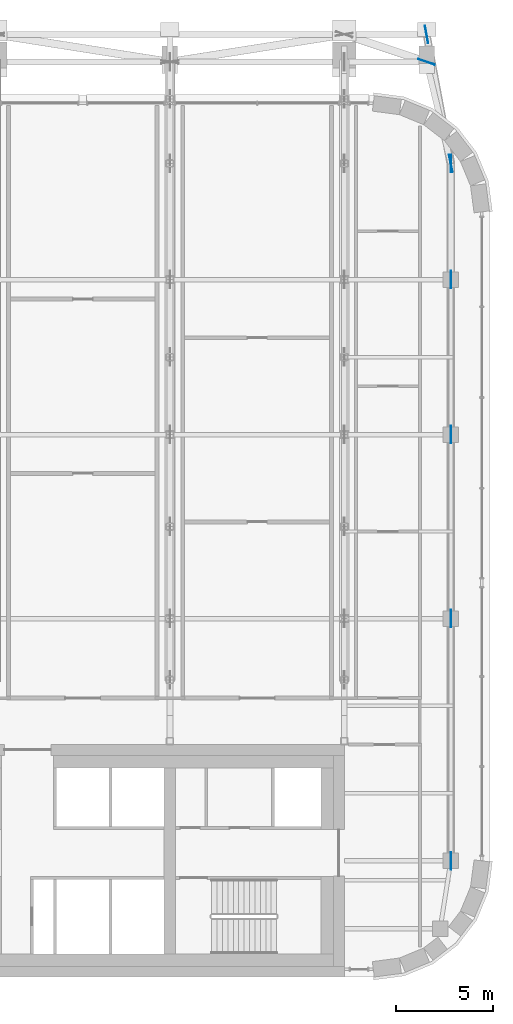
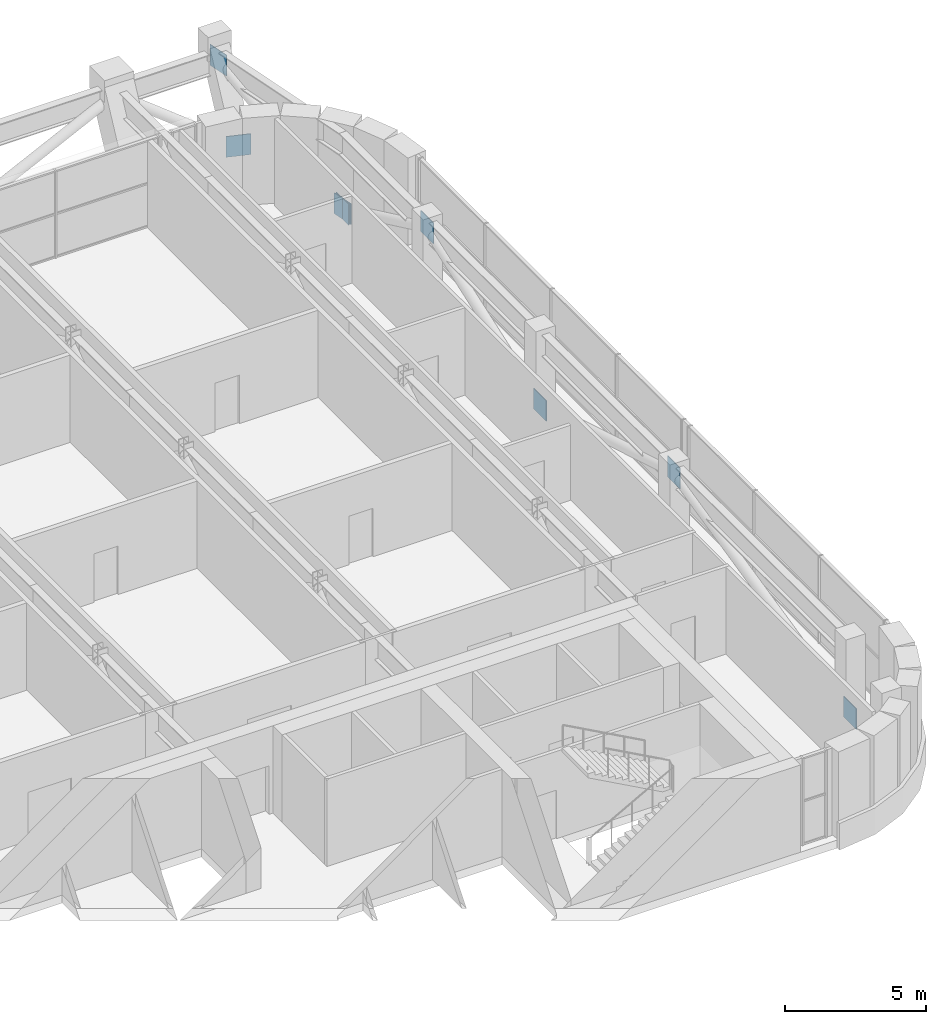
# One storey, part 23 of 28: 8 discrete accessories.
"""IFC4 building model written with IfcOpenShell, lengths in metres."""

import ifcopenshell
import ifcopenshell.guid

model = None  # the IFC model being written
_history = None  # IfcOwnerHistory: only IFC2X3 demands one
_inside = {}  # id of a spatial element -> (the spatial element, [elements in it])
_under = {}  # id of a project, library or spatial element -> (it, [spatial elements below it])
_declared = {}  # id of a project -> (the project, [libraries it declares])
_typed = {}  # id of a type object -> (the type object, [elements of that type])
_made_of = {}  # id of a material, layer set ... -> (it, [elements and type objects made of it])


def new_model(schema):
    """Start an empty IFC model of exactly this schema.

    Asked for "IFC4X3", IfcOpenShell would pick the latest addendum, in which some entities
    have other attributes; the version numbers below select the first issue.
    IFC2X3 requires an IfcOwnerHistory on every rooted entity: one is made here for all.
    """
    global model, _history
    if schema == "IFC4X3":
        model = ifcopenshell.file(schema_version=(4, 3, 0, 0))
    else:
        model = ifcopenshell.file(schema=schema)
    _inside.clear()
    _under.clear()
    _declared.clear()
    _typed.clear()
    _made_of.clear()
    _history = None
    if model.schema == "IFC2X3":
        org = make("IfcOrganization", Name="unknown")
        user = make(
            "IfcPersonAndOrganization",
            ThePerson=make("IfcPerson", FamilyName="unknown"),
            TheOrganization=org,
        )
        app = make(
            "IfcApplication",
            ApplicationDeveloper=org,
            Version="unknown",
            ApplicationFullName="unknown",
            ApplicationIdentifier="unknown",
        )
        _history = make(
            "IfcOwnerHistory",
            OwningUser=user,
            OwningApplication=app,
            ChangeAction="ADDED",
            CreationDate=0,
        )
    return model


def make(cls, **values):
    """One entity of the class cls with the attributes given. An attribute that is None is left unset."""
    return model.create_entity(
        cls, **{name: value for name, value in values.items() if value is not None}
    )


def rooted(cls, **values):
    """An entity with a GlobalId (a new one), such as an element, a storey or a relation."""
    return make(cls, GlobalId=ifcopenshell.guid.new(), OwnerHistory=_history, **values)


def si_unit(unit_type, name, prefix=None):
    """IfcSIUnit, for example si_unit("LENGTHUNIT", "METRE", prefix="MILLI")."""
    return make("IfcSIUnit", UnitType=unit_type, Prefix=prefix, Name=name)


def assignment(units):
    """IfcUnitAssignment: the units of a project."""
    return None if units is None else make("IfcUnitAssignment", Units=units)


def point(xyz):
    """IfcCartesianPoint."""
    return None if xyz is None else make("IfcCartesianPoint", Coordinates=xyz)


def direction(xyz):
    """IfcDirection."""
    return None if xyz is None else make("IfcDirection", DirectionRatios=xyz)


def frame(location, z_axis=None, x_axis=None):
    """IfcAxis2Placement3D, a coordinate frame: its origin and axes. An axis left out is left unset."""
    return make(
        "IfcAxis2Placement3D",
        Location=point(location),
        Axis=direction(z_axis),
        RefDirection=direction(x_axis),
    )


def frame_2d(location, x_axis=None):
    """IfcAxis2Placement2D, a coordinate frame in the plane: its origin and x axis."""
    return make(
        "IfcAxis2Placement2D", Location=point(location), RefDirection=direction(x_axis)
    )


def origin():
    """The frame at (0, 0, 0) with its axes left unset."""
    return frame((0.0, 0.0, 0.0))


def origin_2d():
    """The frame at (0, 0) in the plane with its x axis left unset."""
    return frame_2d((0.0, 0.0))


def place(relative_to, where):
    """IfcLocalPlacement: puts the frame where relative to a parent placement (None: the world)."""
    return make(
        "IfcLocalPlacement", PlacementRelTo=relative_to, RelativePlacement=where
    )


def context(
    kind, dimensions, precision=None, world=None, true_north=None, identifier=None
):
    """IfcGeometricRepresentationContext, for example the 3D "Model" context."""
    return make(
        "IfcGeometricRepresentationContext",
        ContextIdentifier=identifier,
        ContextType=kind,
        CoordinateSpaceDimension=dimensions,
        Precision=precision,
        WorldCoordinateSystem=world,
        TrueNorth=true_north,
    )


def subcontext(parent, identifier, kind, view, scale=None):
    """IfcGeometricRepresentationSubContext, for example "Body" below "Model"."""
    return make(
        "IfcGeometricRepresentationSubContext",
        ContextIdentifier=identifier,
        ContextType=kind,
        ParentContext=parent,
        TargetScale=scale,
        TargetView=view,
    )


def project(units=None, contexts=None):
    """IfcProject with its units and contexts."""
    return rooted(
        "IfcProject",
        Name="project",
        RepresentationContexts=contexts,
        UnitsInContext=assignment(units),
    )


def spatial(cls, under=None, at=None, **own):
    """A site, building, storey or space (cls), placed at a placement, below another one or the project."""
    s = rooted(cls, ObjectPlacement=at, **own)
    if under is not None:
        _under.setdefault(under.id(), (under, []))[1].append(s)
    return s


def profile(cls, at=None, kind="AREA", **sizes):
    """A parametric profile (cls). Its sizes go by their IFC names, for example OverallWidth=200.0."""
    return make(cls, ProfileType=kind, Position=at, **sizes)


def rectangle(**sizes):
    """IfcRectangleProfileDef."""
    return profile("IfcRectangleProfileDef", **sizes)


def extrude(swept, where, along, depth):
    """IfcExtrudedAreaSolid: the profile swept, set in the frame where, extruded along a direction by depth."""
    return make(
        "IfcExtrudedAreaSolid",
        SweptArea=swept,
        Position=where,
        ExtrudedDirection=direction(along),
        Depth=depth,
    )


def shape(context_of_items, identifier, shape_type, items):
    """IfcShapeRepresentation: the items that make up one representation, for example the "Body"."""
    return make(
        "IfcShapeRepresentation",
        ContextOfItems=context_of_items,
        RepresentationIdentifier=identifier,
        RepresentationType=shape_type,
        Items=items,
    )


def made_of(thing, what):
    """Note that an element or type object is made of a material, layer set ...; save() writes the relation."""
    if what is not None:
        _made_of.setdefault(what.id(), (what, []))[1].append(thing)
    return thing


def element(
    cls,
    number,
    at=None,
    inside=None,
    cuts=None,
    type_object=None,
    material=None,
    context=None,
    identifier="Body",
    shape_type=None,
    held_by="IfcProductDefinitionShape",
    body=None,
    shapes=None,
    **own,
):
    """One element of the class cls, such as IfcWall. Its Tag is "e" and its number.

    at: its placement. inside: the storey or other place that contains it. cuts: it is an
    opening in that element (IfcRelVoidsElement). A single representation is given by context,
    identifier, shape_type and body (its items); several are given by shapes. held_by: the class
    of the entity that holds the representations. save() writes the other relations.
    """
    e = rooted(cls, Tag="e%d" % number, ObjectPlacement=at, **own)
    if body is not None:
        shapes = [shape(context, identifier, shape_type, body)]
    if shapes is not None:
        e.Representation = make(held_by, Representations=shapes)
    if inside is not None:
        _inside.setdefault(inside.id(), (inside, []))[1].append(e)
    if cuts is not None:
        rooted(
            "IfcRelVoidsElement", RelatingBuildingElement=cuts, RelatedOpeningElement=e
        )
    if type_object is not None:
        _typed.setdefault(type_object.id(), (type_object, []))[1].append(e)
    return made_of(e, material)


def aggregate(whole, parts):
    """IfcRelAggregates: a whole, such as a stair, and the parts it consists of."""
    return rooted("IfcRelAggregates", RelatingObject=whole, RelatedObjects=parts)


def save(model, path):
    """Write the relations noted so far, then the file.

    IfcRelAggregates (storeys below a building ...), IfcRelContainedInSpatialStructure (elements
    in a storey), IfcRelDefinesByType, IfcRelAssociatesMaterial and IfcRelDeclares: one each for
    every whole, place, type object, material and project.
    """
    for whole, parts in _under.values():
        aggregate(whole, parts)
    for where, things in _inside.values():
        rooted(
            "IfcRelContainedInSpatialStructure",
            RelatedElements=things,
            RelatingStructure=where,
        )
    for kind, things in _typed.values():
        rooted("IfcRelDefinesByType", RelatedObjects=things, RelatingType=kind)
    for what, things in _made_of.values():
        rooted("IfcRelAssociatesMaterial", RelatedObjects=things, RelatingMaterial=what)
    for by, libraries in _declared.values():
        rooted("IfcRelDeclares", RelatingContext=by, RelatedDefinitions=libraries)
    model.write(path)


model = new_model("IFC4")

# Units and contexts
model_context = context("Model", 3, precision=1e-05, world=origin(), true_north=direction((0.0, 1.0)))
body_context = subcontext(model_context, "Body", "Model", "MODEL_VIEW")
ifc_project = project(units=[si_unit("LENGTHUNIT", "METRE"), si_unit("AREAUNIT", "SQUARE_METRE"), si_unit("VOLUMEUNIT", "CUBIC_METRE"), si_unit("PLANEANGLEUNIT", "RADIAN"), si_unit("MASSUNIT", "GRAM", prefix="KILO")], contexts=[model_context])

# Site, building, storey
site_placement = place(None, origin())
site = spatial("IfcSite", under=ifc_project, at=site_placement, CompositionType="ELEMENT")
building_placement = place(site_placement, origin())
building = spatial("IfcBuilding", under=site, at=building_placement, Name="Zellij Exchange Tower", CompositionType="ELEMENT")
storey_placement = place(building_placement, frame((0.0, 0.0, 268.5)))
storey = spatial("IfcBuildingStorey", under=building, at=storey_placement, Name="L63", CompositionType="ELEMENT", Elevation=268.5)

# Discrete accessories
for number, where, z_axis, x_axis, name in (
    (1, (32.5, -8.0, 0.021240234375), (0.0, 0.0, 1.0), (0.0, 1.0, 0.0), "Gusset plate"),
    (2, (32.5, 4.5, 2.85888671875), (0.0, 0.0, 1.0), (0.0, 1.0, 0.0), "Gusset plate"),
    (3, (32.5, 14.0, 0.021240234375), (0.0, 0.0, 1.0), (0.0, 1.0, 0.0), "Gusset plate"),
    (4, (32.5, 22.0, 2.85888671875), (0.0, 0.0, 1.0), (0.0, 1.0, 0.0), "Gusset plate"),
    (5, (32.5, 28.0, 0.021240234375), (0.0, 0.0, 1.0), (0.0, 1.0, 0.0), "Gusset plate"),
    (6, (32.5, 28.0, 0.021240234375), (0.0, 0.0, 1.0), (-0.184616940161, 0.982810554179, 0.0), "Gusset plate"),
    (7, (31.25, 34.654296875, 2.85888671875), (0.0, 0.0, 1.0), (-0.184616940161, 0.982810554179, 0.0), "Gusset plate"),
    (8, (31.25, 33.235595703125, 0.021240234375), (0.0, 0.0, 1.0), (0.948540523271, -0.316655768482, 0.0), "Gusset plate"),
):
    element("IfcDiscreteAccessory", number, at=place(storey_placement, frame(where, z_axis=z_axis, x_axis=x_axis)), inside=storey, Name=name, PredefinedType="BRACKET", context=body_context, shape_type="SweptSolid", body=[
        extrude(rectangle(XDim=0.89990234375, YDim=0.030029296875, at=origin_2d()), origin(), (0.0, 0.0, 1.0), 0.89990234375),
    ])

save(model, "model.ifc")
